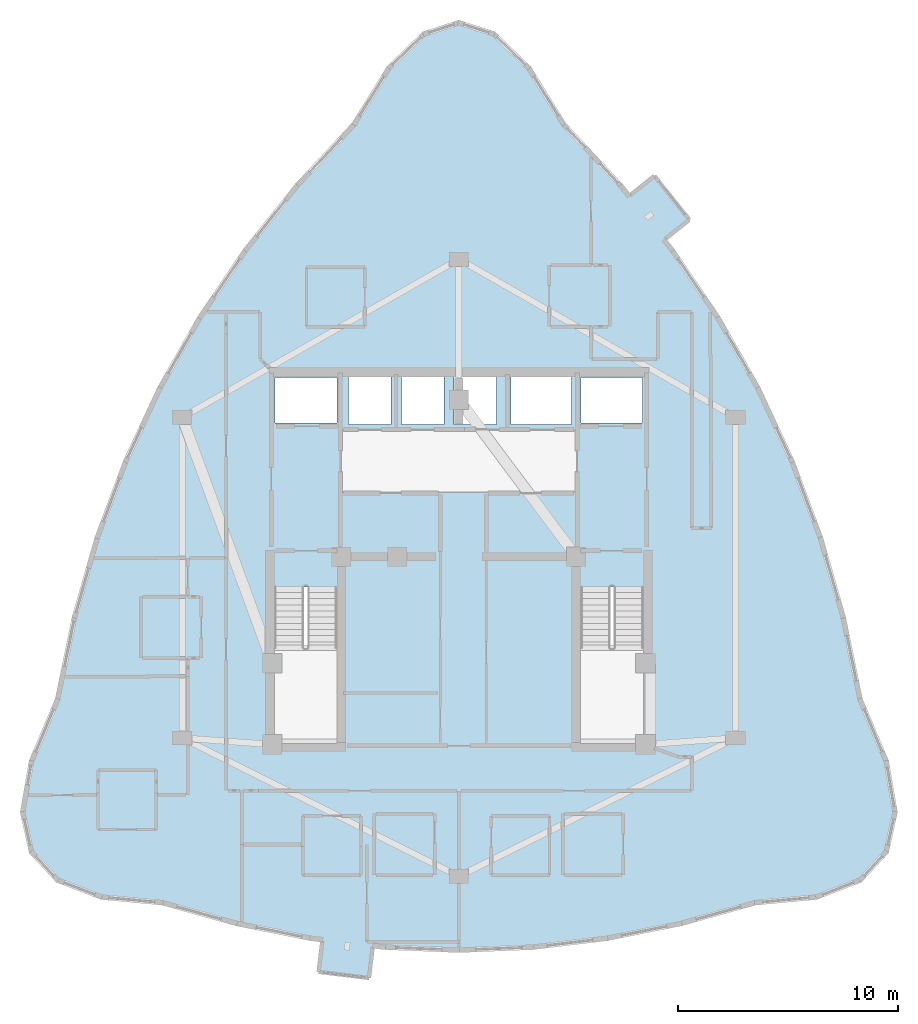
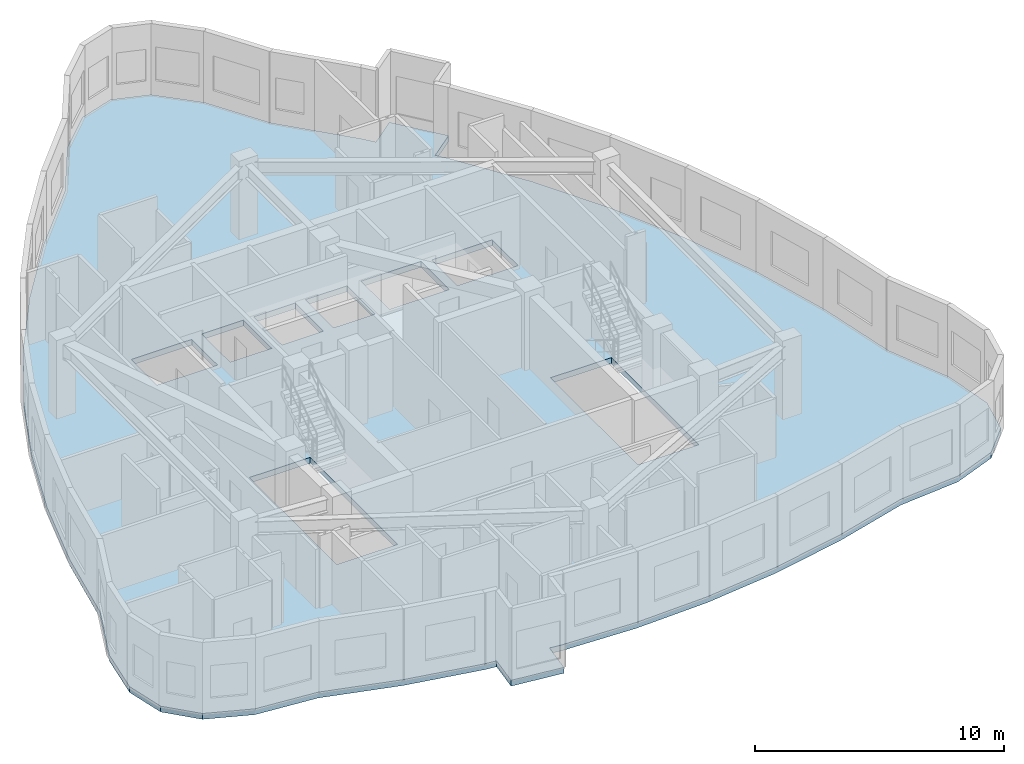
# One storey, part 5 of 13: 1 slab.
"""IFC4 building model written with IfcOpenShell, lengths in metres."""

from ifc_helpers import new_model, si_unit, direction, frame, origin, place, context, subcontext, project, spatial, polyline, outline, extrude, material, layer, layer_set, type_object, element, save


model = new_model("IFC4")

# Units and contexts
model_context = context("Model", 3, precision=1e-05, world=origin(), true_north=direction((0.0, 1.0)))
body_context = subcontext(model_context, "Body", "Model", "MODEL_VIEW")
ifc_project = project(units=[si_unit("LENGTHUNIT", "METRE"), si_unit("AREAUNIT", "SQUARE_METRE"), si_unit("VOLUMEUNIT", "CUBIC_METRE"), si_unit("PLANEANGLEUNIT", "RADIAN"), si_unit("MASSUNIT", "GRAM", prefix="KILO")], contexts=[model_context])

# Site, building, storey
site_placement = place(None, origin())
site = spatial("IfcSite", under=ifc_project, at=site_placement, CompositionType="ELEMENT")
building_placement = place(site_placement, origin())
building = spatial("IfcBuilding", under=site, at=building_placement, Name="Miruveldt Soraemaru", CompositionType="ELEMENT")
storey_placement = place(building_placement, frame((0.0, 0.0, 252.0)))
storey = spatial("IfcBuildingStorey", under=building, at=storey_placement, Name="L69", CompositionType="ELEMENT", Elevation=252.0)

# Slab
ifc_material = material(Name="Concrete C40/50 (40 MPa)", Category="concrete")
ifc_layer = layer(ifc_material, 0.284912109375, Name="Concrete C40/50 (40 MPa)", Category="concrete")
ifc_layer_set = layer_set([ifc_layer], Name="Concrete C40/50 (40 MPa)")
slab_type = type_object("IfcSlabType", Name="SLAB-RES4-285", PredefinedType="FLOOR", material=ifc_layer_set)
slab_placement = place(storey_placement, frame((0.0, 0.0, -0.284912109375)))
element("IfcSlab", 1, at=slab_placement, inside=storey, type_object=slab_type, Name="L69 Structural Floor Slab", PredefinedType="FLOOR", context=body_context, shape_type="SweptSolid", body=[
    extrude(outline(polyline([(39.90869140625, 24.87451171875), (37.6142578125, 25.14990234375), (37.79052734375, 26.619384765625), (37.25048828125, 26.68408203125), (33.87548828125, 27.359130859375), (30.500732421875, 28.303955078125), (27.718994140625, 28.56103515625), (25.732177734375, 29.331787109375), (24.5400390625, 30.61669921875), (24.142578125, 32.415283203125), (24.5400390625, 34.727783203125), (25.732177734375, 37.554443359375), (26.503173828125, 41.30029296875), (27.535888671875, 44.9111328125), (28.830322265625, 48.386962890625), (30.386962890625, 51.727783203125), (32.205078125, 54.933837890625), (34.285400390625, 58.004638671875), (36.62744140625, 60.940673828125), (39.2314453125, 63.74169921875), (40.821044921875, 66.31103515625), (42.410400390625, 67.852783203125), (44.0, 68.36669921875), (45.589599609375, 67.852783203125), (47.178955078125, 66.31103515625), (48.7685546875, 63.74169921875), (51.37255859375, 60.940673828125), (52.54345703125, 59.47265625), (51.747314453125, 60.470947265625), (52.904296875, 61.393798828125), (54.496826171875, 59.397216796875), (53.33984375, 58.474365234375), (53.714599609375, 58.004638671875), (55.794921875, 54.933837890625), (57.613037109375, 51.727783203125), (59.169677734375, 48.386962890625), (60.464111328125, 44.9111328125), (61.496826171875, 41.30029296875), (62.267822265625, 37.554443359375), (63.4599609375, 34.727783203125), (63.857421875, 32.415283203125), (63.4599609375, 30.61669921875), (62.267822265625, 29.331787109375), (60.281005859375, 28.56103515625), (57.499267578125, 28.303955078125), (54.12451171875, 27.359130859375), (50.74951171875, 26.68408203125), (47.374755859375, 26.279052734375), (44.0, 26.14404296875), (40.625244140625, 26.279052734375), (38.937744140625, 26.481689453125), (40.085205078125, 26.343994140625), (39.90869140625, 24.87451171875)]), holes=[polyline([(35.614990234375, 35.6650390625), (38.43505859375, 35.6650390625), (38.43505859375, 42.68505859375), (35.614990234375, 42.68505859375), (35.614990234375, 35.6650390625)]), polyline([(49.56494140625, 35.6650390625), (52.385009765625, 35.6650390625), (52.385009765625, 42.68505859375), (49.56494140625, 42.68505859375), (49.56494140625, 35.6650390625)]), polyline([(38.445068359375, 50.135009765625), (38.445068359375, 52.205078125), (35.635009765625, 52.205078125), (35.635009765625, 50.135009765625), (38.445068359375, 50.135009765625)]), polyline([(52.364990234375, 50.135009765625), (52.364990234375, 52.205078125), (49.554931640625, 52.205078125), (49.554931640625, 50.135009765625), (52.364990234375, 50.135009765625)]), polyline([(40.9150390625, 50.06494140625), (40.9150390625, 52.3349609375), (38.985107421875, 52.3349609375), (38.985107421875, 50.06494140625), (40.9150390625, 50.06494140625)]), polyline([(43.31494140625, 50.06494140625), (43.31494140625, 52.3349609375), (41.385009765625, 52.3349609375), (41.385009765625, 50.06494140625), (43.31494140625, 50.06494140625)]), polyline([(45.715087890625, 50.06494140625), (45.715087890625, 52.3349609375), (43.784912109375, 52.3349609375), (43.784912109375, 50.06494140625), (45.715087890625, 50.06494140625)]), polyline([(49.135009765625, 50.06494140625), (49.135009765625, 52.3349609375), (46.364990234375, 52.3349609375), (46.364990234375, 50.06494140625), (49.135009765625, 50.06494140625)])]), origin(), (0.0, 0.0, 1.0), 0.284912109375),
])

save(model, "model.ifc")
